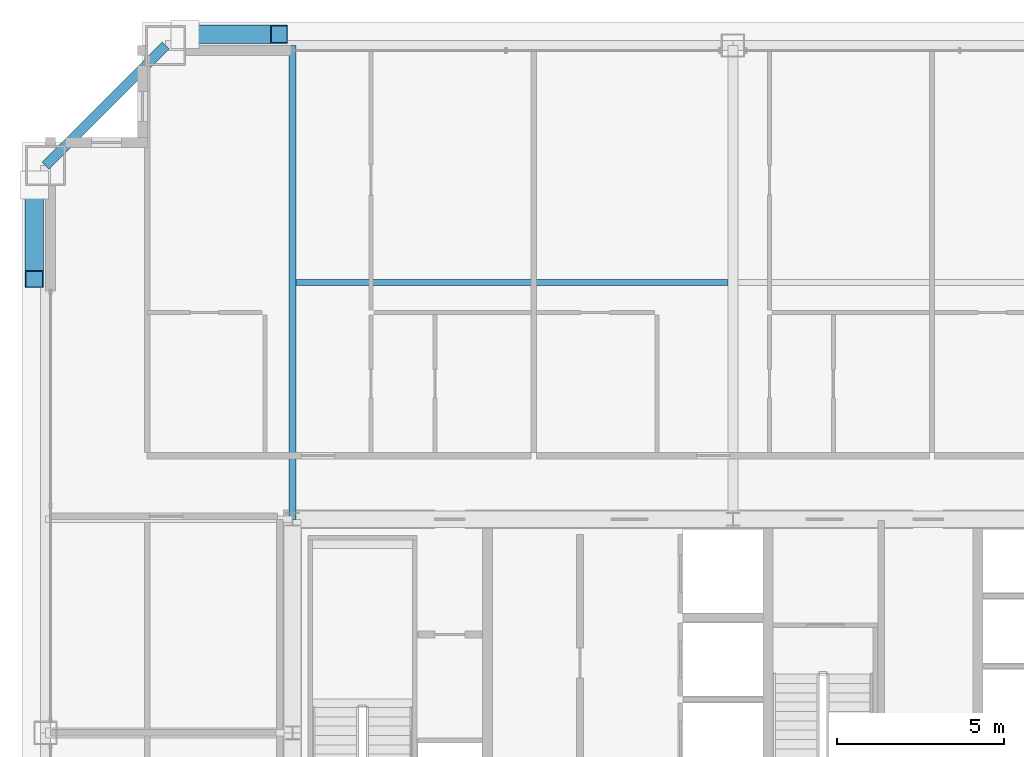
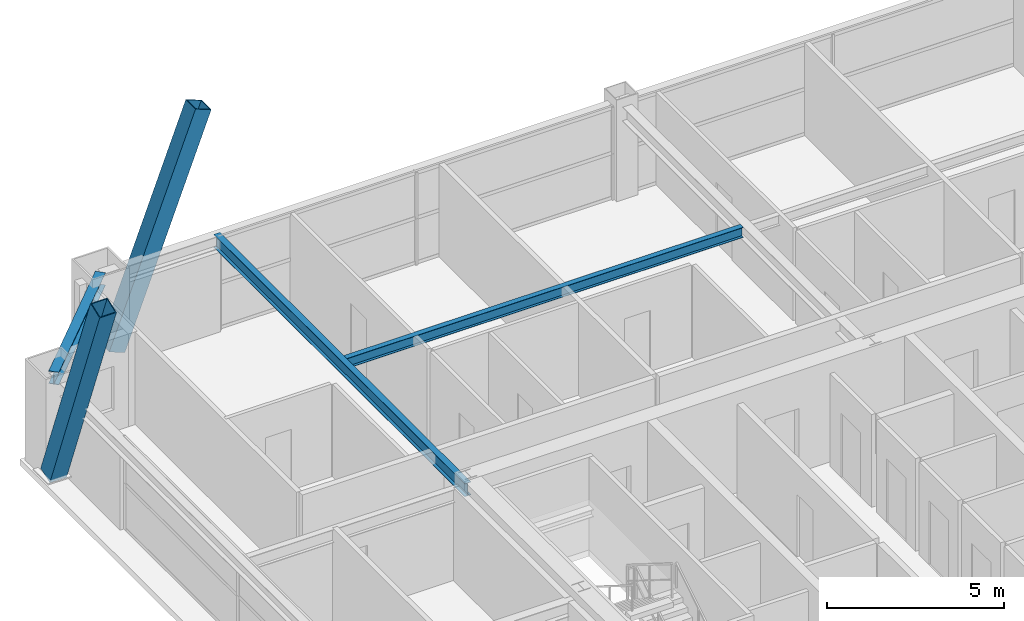
# One storey, part 22 of 36: 3 beams, 2 members.
"""IFC4 building model written with IfcOpenShell, lengths in metres."""

import ifcopenshell
import ifcopenshell.guid

model = None  # the IFC model being written
_history = None  # IfcOwnerHistory: only IFC2X3 demands one
_inside = {}  # id of a spatial element -> (the spatial element, [elements in it])
_under = {}  # id of a project, library or spatial element -> (it, [spatial elements below it])
_declared = {}  # id of a project -> (the project, [libraries it declares])
_typed = {}  # id of a type object -> (the type object, [elements of that type])
_made_of = {}  # id of a material, layer set ... -> (it, [elements and type objects made of it])


def new_model(schema):
    """Start an empty IFC model of exactly this schema.

    Asked for "IFC4X3", IfcOpenShell would pick the latest addendum, in which some entities
    have other attributes; the version numbers below select the first issue.
    IFC2X3 requires an IfcOwnerHistory on every rooted entity: one is made here for all.
    """
    global model, _history
    if schema == "IFC4X3":
        model = ifcopenshell.file(schema_version=(4, 3, 0, 0))
    else:
        model = ifcopenshell.file(schema=schema)
    _inside.clear()
    _under.clear()
    _declared.clear()
    _typed.clear()
    _made_of.clear()
    _history = None
    if model.schema == "IFC2X3":
        org = make("IfcOrganization", Name="unknown")
        user = make(
            "IfcPersonAndOrganization",
            ThePerson=make("IfcPerson", FamilyName="unknown"),
            TheOrganization=org,
        )
        app = make(
            "IfcApplication",
            ApplicationDeveloper=org,
            Version="unknown",
            ApplicationFullName="unknown",
            ApplicationIdentifier="unknown",
        )
        _history = make(
            "IfcOwnerHistory",
            OwningUser=user,
            OwningApplication=app,
            ChangeAction="ADDED",
            CreationDate=0,
        )
    return model


def make(cls, **values):
    """One entity of the class cls with the attributes given. An attribute that is None is left unset."""
    return model.create_entity(
        cls, **{name: value for name, value in values.items() if value is not None}
    )


def rooted(cls, **values):
    """An entity with a GlobalId (a new one), such as an element, a storey or a relation."""
    return make(cls, GlobalId=ifcopenshell.guid.new(), OwnerHistory=_history, **values)


def si_unit(unit_type, name, prefix=None):
    """IfcSIUnit, for example si_unit("LENGTHUNIT", "METRE", prefix="MILLI")."""
    return make("IfcSIUnit", UnitType=unit_type, Prefix=prefix, Name=name)


def assignment(units):
    """IfcUnitAssignment: the units of a project."""
    return None if units is None else make("IfcUnitAssignment", Units=units)


def point(xyz):
    """IfcCartesianPoint."""
    return None if xyz is None else make("IfcCartesianPoint", Coordinates=xyz)


def direction(xyz):
    """IfcDirection."""
    return None if xyz is None else make("IfcDirection", DirectionRatios=xyz)


def frame(location, z_axis=None, x_axis=None):
    """IfcAxis2Placement3D, a coordinate frame: its origin and axes. An axis left out is left unset."""
    return make(
        "IfcAxis2Placement3D",
        Location=point(location),
        Axis=direction(z_axis),
        RefDirection=direction(x_axis),
    )


def frame_2d(location, x_axis=None):
    """IfcAxis2Placement2D, a coordinate frame in the plane: its origin and x axis."""
    return make(
        "IfcAxis2Placement2D", Location=point(location), RefDirection=direction(x_axis)
    )


def origin():
    """The frame at (0, 0, 0) with its axes left unset."""
    return frame((0.0, 0.0, 0.0))


def origin_2d():
    """The frame at (0, 0) in the plane with its x axis left unset."""
    return frame_2d((0.0, 0.0))


def place(relative_to, where):
    """IfcLocalPlacement: puts the frame where relative to a parent placement (None: the world)."""
    return make(
        "IfcLocalPlacement", PlacementRelTo=relative_to, RelativePlacement=where
    )


def context(
    kind, dimensions, precision=None, world=None, true_north=None, identifier=None
):
    """IfcGeometricRepresentationContext, for example the 3D "Model" context."""
    return make(
        "IfcGeometricRepresentationContext",
        ContextIdentifier=identifier,
        ContextType=kind,
        CoordinateSpaceDimension=dimensions,
        Precision=precision,
        WorldCoordinateSystem=world,
        TrueNorth=true_north,
    )


def subcontext(parent, identifier, kind, view, scale=None):
    """IfcGeometricRepresentationSubContext, for example "Body" below "Model"."""
    return make(
        "IfcGeometricRepresentationSubContext",
        ContextIdentifier=identifier,
        ContextType=kind,
        ParentContext=parent,
        TargetScale=scale,
        TargetView=view,
    )


def project(units=None, contexts=None):
    """IfcProject with its units and contexts."""
    return rooted(
        "IfcProject",
        Name="project",
        RepresentationContexts=contexts,
        UnitsInContext=assignment(units),
    )


def spatial(cls, under=None, at=None, **own):
    """A site, building, storey or space (cls), placed at a placement, below another one or the project."""
    s = rooted(cls, ObjectPlacement=at, **own)
    if under is not None:
        _under.setdefault(under.id(), (under, []))[1].append(s)
    return s


def profile(cls, at=None, kind="AREA", **sizes):
    """A parametric profile (cls). Its sizes go by their IFC names, for example OverallWidth=200.0."""
    return make(cls, ProfileType=kind, Position=at, **sizes)


def hollow_rectangle(**sizes):
    """IfcRectangleHollowProfileDef."""
    return profile("IfcRectangleHollowProfileDef", **sizes)


def i_section(**sizes):
    """IfcIShapeProfileDef."""
    return profile("IfcIShapeProfileDef", **sizes)


def extrude(swept, where, along, depth):
    """IfcExtrudedAreaSolid: the profile swept, set in the frame where, extruded along a direction by depth."""
    return make(
        "IfcExtrudedAreaSolid",
        SweptArea=swept,
        Position=where,
        ExtrudedDirection=direction(along),
        Depth=depth,
    )


def shape(context_of_items, identifier, shape_type, items):
    """IfcShapeRepresentation: the items that make up one representation, for example the "Body"."""
    return make(
        "IfcShapeRepresentation",
        ContextOfItems=context_of_items,
        RepresentationIdentifier=identifier,
        RepresentationType=shape_type,
        Items=items,
    )


def source(mapping_origin, context_of_items, identifier, shape_type, items):
    """IfcRepresentationMap: a shape defined once, which mapped items show again and again."""
    return make(
        "IfcRepresentationMap",
        MappingOrigin=mapping_origin,
        MappedRepresentation=shape(context_of_items, identifier, shape_type, items),
    )


def transform(
    local_origin,
    x_axis=None,
    y_axis=None,
    z_axis=None,
    scale=None,
    scale2=None,
    scale3=None,
    uniform=True,
):
    """IfcCartesianTransformationOperator3D, or its non-uniform kind. x_axis, y_axis, z_axis: its Axis1, 2, 3."""
    if uniform:
        return make(
            "IfcCartesianTransformationOperator3D",
            Axis1=direction(x_axis),
            Axis2=direction(y_axis),
            LocalOrigin=point(local_origin),
            Scale=scale,
            Axis3=direction(z_axis),
        )
    return make(
        "IfcCartesianTransformationOperator3DnonUniform",
        Axis1=direction(x_axis),
        Axis2=direction(y_axis),
        LocalOrigin=point(local_origin),
        Scale=scale,
        Axis3=direction(z_axis),
        Scale2=scale2,
        Scale3=scale3,
    )


def mapped(mapping_source, mapping_target):
    """IfcMappedItem: shows the shape of a source again, moved by a transform."""
    return make(
        "IfcMappedItem", MappingSource=mapping_source, MappingTarget=mapping_target
    )


def material(Name=None, Category=None):
    """IfcMaterial."""
    return make("IfcMaterial", Name=Name, Category=Category)


def material_profile(
    of_material, cross_section, Name=None, Category=None, Priority=None
):
    """IfcMaterialProfile: a cross section and its material."""
    return make(
        "IfcMaterialProfile",
        Name=Name,
        Material=of_material,
        Profile=cross_section,
        Priority=Priority,
        Category=Category,
    )


def profile_set(profiles, Name=None, composite=None):
    """IfcMaterialProfileSet."""
    return make(
        "IfcMaterialProfileSet",
        Name=Name,
        MaterialProfiles=profiles,
        CompositeProfile=composite,
    )


def made_of(thing, what):
    """Note that an element or type object is made of a material, layer set ...; save() writes the relation."""
    if what is not None:
        _made_of.setdefault(what.id(), (what, []))[1].append(thing)
    return thing


def type_object(cls, material=None, **own):
    """A type object (cls), such as IfcWallType, which elements share."""
    return made_of(rooted(cls, **own), material)


def element(
    cls,
    number,
    at=None,
    inside=None,
    cuts=None,
    type_object=None,
    material=None,
    context=None,
    identifier="Body",
    shape_type=None,
    held_by="IfcProductDefinitionShape",
    body=None,
    shapes=None,
    **own,
):
    """One element of the class cls, such as IfcWall. Its Tag is "e" and its number.

    at: its placement. inside: the storey or other place that contains it. cuts: it is an
    opening in that element (IfcRelVoidsElement). A single representation is given by context,
    identifier, shape_type and body (its items); several are given by shapes. held_by: the class
    of the entity that holds the representations. save() writes the other relations.
    """
    e = rooted(cls, Tag="e%d" % number, ObjectPlacement=at, **own)
    if body is not None:
        shapes = [shape(context, identifier, shape_type, body)]
    if shapes is not None:
        e.Representation = make(held_by, Representations=shapes)
    if inside is not None:
        _inside.setdefault(inside.id(), (inside, []))[1].append(e)
    if cuts is not None:
        rooted(
            "IfcRelVoidsElement", RelatingBuildingElement=cuts, RelatedOpeningElement=e
        )
    if type_object is not None:
        _typed.setdefault(type_object.id(), (type_object, []))[1].append(e)
    return made_of(e, material)


def aggregate(whole, parts):
    """IfcRelAggregates: a whole, such as a stair, and the parts it consists of."""
    return rooted("IfcRelAggregates", RelatingObject=whole, RelatedObjects=parts)


def save(model, path):
    """Write the relations noted so far, then the file.

    IfcRelAggregates (storeys below a building ...), IfcRelContainedInSpatialStructure (elements
    in a storey), IfcRelDefinesByType, IfcRelAssociatesMaterial and IfcRelDeclares: one each for
    every whole, place, type object, material and project.
    """
    for whole, parts in _under.values():
        aggregate(whole, parts)
    for where, things in _inside.values():
        rooted(
            "IfcRelContainedInSpatialStructure",
            RelatedElements=things,
            RelatingStructure=where,
        )
    for kind, things in _typed.values():
        rooted("IfcRelDefinesByType", RelatedObjects=things, RelatingType=kind)
    for what, things in _made_of.values():
        rooted("IfcRelAssociatesMaterial", RelatedObjects=things, RelatingMaterial=what)
    for by, libraries in _declared.values():
        rooted("IfcRelDeclares", RelatingContext=by, RelatedDefinitions=libraries)
    model.write(path)


model = new_model("IFC4")

# Units and contexts
model_context = context("Model", 3, precision=1e-05, world=origin(), true_north=direction((0.0, 1.0)))
body_context = subcontext(model_context, "Body", "Model", "MODEL_VIEW")
ifc_project = project(units=[si_unit("LENGTHUNIT", "METRE"), si_unit("AREAUNIT", "SQUARE_METRE"), si_unit("VOLUMEUNIT", "CUBIC_METRE"), si_unit("PLANEANGLEUNIT", "RADIAN"), si_unit("MASSUNIT", "GRAM", prefix="KILO"), si_unit("THERMODYNAMICTEMPERATUREUNIT", "KELVIN"), si_unit("POWERUNIT", "WATT")], contexts=[model_context])

# Site, building, storey
site_placement = place(None, origin())
site = spatial("IfcSite", under=ifc_project, at=site_placement, CompositionType="ELEMENT")
building_placement = place(site_placement, origin())
building = spatial("IfcBuilding", under=site, at=building_placement, Name="Yuzanri Waterfront Tower", CompositionType="ELEMENT")
storey_placement = place(building_placement, frame((0.0, 0.0, 255.60009765625)))
storey = spatial("IfcBuildingStorey", under=building, at=storey_placement, Name="L68", CompositionType="ELEMENT", Elevation=255.60009765625)

# Beams
ifc_material_1 = material(Name="Steel Q355B", Category="steel")
ifc_material_profile_1 = material_profile(ifc_material_1, i_section(OverallWidth=0.300048828125, OverallDepth=0.43994140625, WebThickness=0.010986328125, FlangeThickness=0.01806640625, at=origin_2d()), Name="HM 440x300x11x18")
ifc_profile_set_1 = profile_set([ifc_material_profile_1], Name="Steel Q355B")
beam_type_1 = type_object("IfcBeamType", Name="Perimeter Spandrel Q355B HM 440x300", PredefinedType="SPANDREL", material=ifc_profile_set_1)
shared_shape_1 = source(origin(), body_context, "Body", "SweptSolid", [
    extrude(i_section(OverallWidth=0.300048828125, OverallDepth=0.43994140625, WebThickness=0.010986328125, FlangeThickness=0.01806640625, at=origin_2d()), origin(), (0.0, 0.0, 1.0), 5.091064453125),
])
beam_1_placement = place(storey_placement, frame((20.0, 46.39990234375, 2.97998046875), z_axis=(-0.707130757816, -0.707082803744, 0.0), x_axis=(0.707082803744, -0.707130757816, 0.0)))
element("IfcBeam", 1, at=beam_1_placement, inside=storey, type_object=beam_type_1, Name="L68 Perimeter Spandrel N1-W3", PredefinedType="SPANDREL", context=body_context, shape_type="MappedRepresentation", body=[
    mapped(shared_shape_1, transform((0.0, 0.0, 0.0), scale=1.0)),
])
ifc_material_2 = material(Name="Steel Q355B", Category="steel")
ifc_material_profile_2 = material_profile(ifc_material_2, i_section(OverallWidth=0.199951171875, OverallDepth=0.449951171875, WebThickness=0.009033203125, FlangeThickness=0.013916015625, at=origin_2d()), Name="HN 450x200x9x14")
ifc_profile_set_2 = profile_set([ifc_material_profile_2], Name="Steel Q355B")
beam_type_2 = type_object("IfcBeamType", Name="Secondary Floor Beam Q355B HN 450x200", PredefinedType="BEAM", material=ifc_profile_set_2)
shared_shape_2 = source(origin(), body_context, "Body", "SweptSolid", [
    extrude(i_section(OverallWidth=0.199951171875, OverallDepth=0.449951171875, WebThickness=0.009033203125, FlangeThickness=0.013916015625, at=origin_2d()), origin(), (0.0, 0.0, 1.0), 14.199951171875),
])
beam_2_placement = place(storey_placement, frame((23.800048828125, 32.199951171875, 2.974853515625), z_axis=(0.0, 1.0, 0.0), x_axis=(-1.0, 0.0, 0.0)))
element("IfcBeam", 2, at=beam_2_placement, inside=storey, type_object=beam_type_2, Name="L68 North-West Core Line Beam", PredefinedType="BEAM", context=body_context, shape_type="MappedRepresentation", body=[
    mapped(shared_shape_2, transform((0.0, 0.0, 0.0), scale=1.0)),
])
ifc_material_3 = material(Name="Steel Q355B", Category="steel")
ifc_material_profile_3 = material_profile(ifc_material_3, i_section(OverallWidth=0.175048828125, OverallDepth=0.35009765625, WebThickness=0.007080078125, FlangeThickness=0.010986328125, at=origin_2d()), Name="HN 350x175x7x11")
ifc_profile_set_3 = profile_set([ifc_material_profile_3], Name="Steel Q355B")
beam_type_3 = type_object("IfcBeamType", Name="Floor Joist Q355B HN 350x175", PredefinedType="JOIST", material=ifc_profile_set_3)
shared_shape_3 = source(origin(), body_context, "Body", "SweptSolid", [
    extrude(i_section(OverallWidth=0.175048828125, OverallDepth=0.35009765625, WebThickness=0.007080078125, FlangeThickness=0.010986328125, at=origin_2d()), origin(), (0.0, 0.0, 1.0), 12.9501953125),
])
beam_3_placement = place(storey_placement, frame((23.89990234375, 39.300048828125, 3.02490234375), z_axis=(1.0, 0.0, 0.0), x_axis=(0.0, 1.0, 0.0)))
element("IfcBeam", 3, at=beam_3_placement, inside=storey, type_object=beam_type_3, Name="L68 North Bay Joist W", PredefinedType="JOIST", context=body_context, shape_type="MappedRepresentation", body=[
    mapped(shared_shape_3, transform((0.0, 0.0, 0.0), scale=1.0)),
])

# Members
ifc_material_4 = material(Name="Steel Q390GJC", Category="steel")
ifc_material_profile_4 = material_profile(ifc_material_4, hollow_rectangle(XDim=0.550048828125, YDim=0.550048828125, WallThickness=0.02490234375, at=origin_2d()), Name="RHS 550x550x25")
ifc_profile_set_4 = profile_set([ifc_material_profile_4], Name="Steel Q390GJC")
member_type = type_object("IfcMemberType", Name="Mega Brace Mid Q390GJC RHS 550x550x25", PredefinedType="BRACE", material=ifc_profile_set_4)
shared_shape_4 = source(origin(), body_context, "Body", "SweptSolid", [
    extrude(hollow_rectangle(XDim=0.550048828125, YDim=0.550048828125, WallThickness=0.02490234375, at=origin_2d()), origin(), (0.0, 0.0, 1.0), 7.9189453125),
])
for number, where, z_axis, x_axis, name in (
    (4, (20.580078125, 46.739990234375, 0.179931640625), (0.356085068362, 0.0, 0.934453543034), (0.0, 1.0, 0.0), "L68-L69 Perimeter Mega-Brace N-L"),
    (5, (16.06005859375, 42.219970703125, 0.179931640625), (0.0, -0.356111988672, 0.934443284274), (1.0, 0.0, 0.0), "L68-L69 Perimeter Mega-Brace W-R"),
):
    element("IfcMember", number, at=place(storey_placement, frame(where, z_axis=z_axis, x_axis=x_axis)), inside=storey, type_object=member_type, Name=name, PredefinedType="BRACE", context=body_context, shape_type="MappedRepresentation", body=[
        mapped(shared_shape_4, transform((0.0, 0.0, 0.0), scale=1.0)),
    ])

save(model, "model.ifc")
